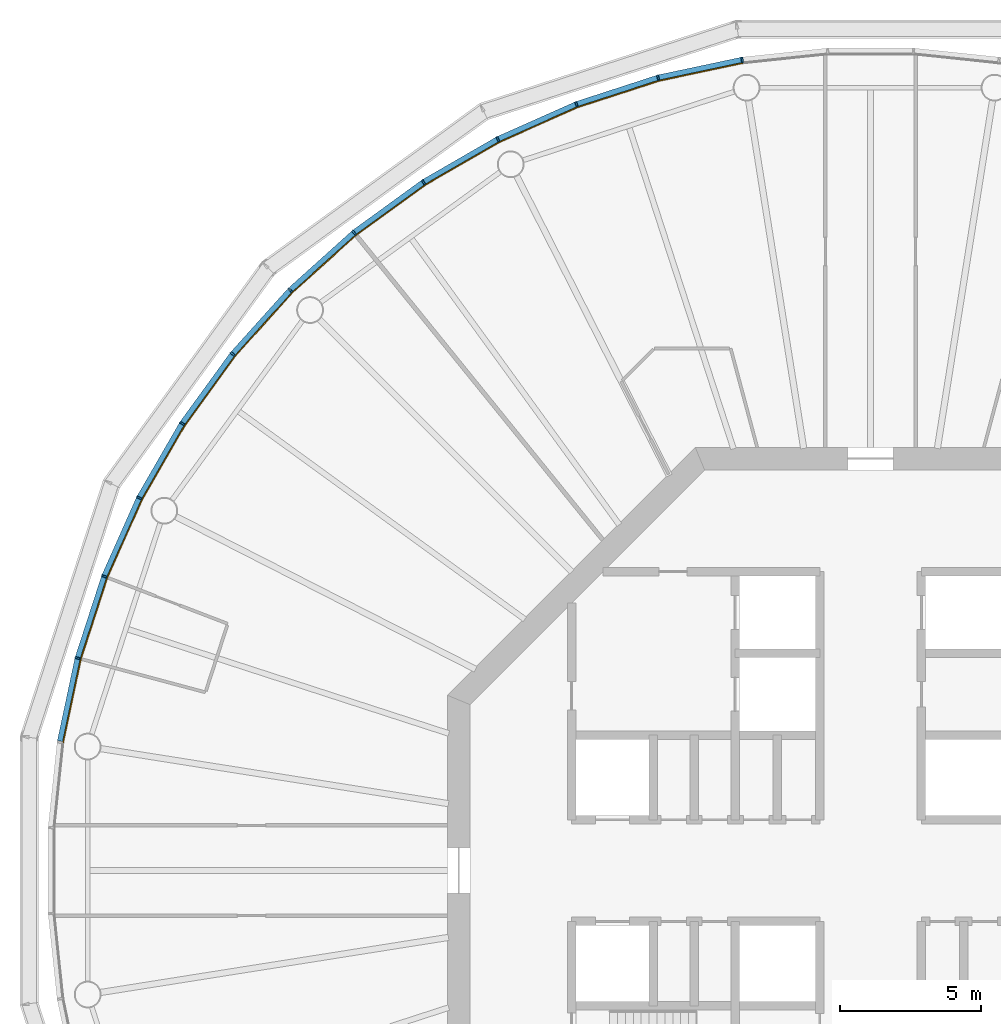
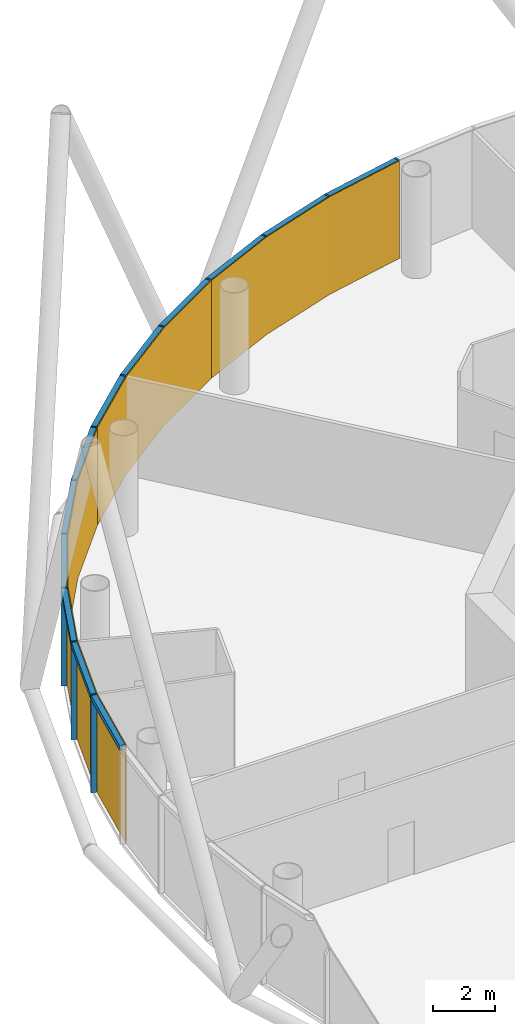
# One storey, part 10 of 13: 24 members, 4 curtain walls.
"""IFC4 building model written with IfcOpenShell, lengths in metres."""

from ifc_helpers import new_model, si_unit, direction, frame, origin, origin_2d, place, context, subcontext, project, spatial, polyline, rectangle, outline, extrude, material, layer, layer_set, material_profile, profile_set, type_object, element, aggregate, save


model = new_model("IFC4")

# Units and contexts
model_context = context("Model", 3, precision=1e-05, world=origin(), true_north=direction((0.0, 1.0)))
body_context = subcontext(model_context, "Body", "Model", "MODEL_VIEW")
ifc_project = project(units=[si_unit("LENGTHUNIT", "METRE"), si_unit("AREAUNIT", "SQUARE_METRE"), si_unit("VOLUMEUNIT", "CUBIC_METRE"), si_unit("PLANEANGLEUNIT", "RADIAN"), si_unit("MASSUNIT", "GRAM", prefix="KILO")], contexts=[model_context])

# Member
ifc_material_1 = material(Name="Anodised aluminium", Category="aluminium")
ifc_material_profile_1 = material_profile(ifc_material_1, rectangle(XDim=0.06494140625, YDim=0.195068359375, at=origin_2d()), Name="Mullion 65 x 195 mm anodised aluminium")
ifc_profile_set_1 = profile_set([ifc_material_profile_1], Name="Anodised aluminium")
member_type_1 = type_object("IfcMemberType", Name="Mullion 65 x 195 mm anodised aluminium", PredefinedType="MULLION", material=ifc_profile_set_1)
site_placement = place(None, origin())
building_placement = place(site_placement, origin())
storey_placement = place(building_placement, frame((0.0, 0.0, 294.0)))
member_1_placement = place(storey_placement, frame((85.4482421875, 108.7392578125, 0.0), z_axis=(0.0, 0.0, 1.0), x_axis=(-0.987688340595, -0.15643446504, 0.0)))
member_1 = element("IfcMember", 1, at=member_1_placement, type_object=member_type_1, Name="MULLION L67-15", PredefinedType="MULLION", context=body_context, shape_type="SweptSolid", body=[
    extrude(rectangle(XDim=0.06494140625, YDim=0.195068359375, at=origin_2d()), origin(), (0.0, 0.0, 1.0), 3.85009765625),
])

member_2_placement = place(storey_placement, frame((82.468994140625, 108.10595703125, 0.0), z_axis=(0.0, 0.0, 1.0), x_axis=(-0.965925826289, -0.258819045103, 0.0)))
member_2 = element("IfcMember", 2, at=member_2_placement, type_object=member_type_1, Name="MULLION L67-16", PredefinedType="MULLION", context=body_context, shape_type="SweptSolid", body=[
    extrude(rectangle(XDim=0.06494140625, YDim=0.195068359375, at=origin_2d()), origin(), (0.0, 0.0, 1.0), 3.85009765625),
])

member_3_placement = place(storey_placement, frame((79.572509765625, 107.164794921875, 0.0), z_axis=(0.0, 0.0, 1.0), x_axis=(-0.933580426497, -0.358367949545, 0.0)))
member_3 = element("IfcMember", 3, at=member_3_placement, type_object=member_type_1, Name="MULLION L67-17", PredefinedType="MULLION", context=body_context, shape_type="SweptSolid", body=[
    extrude(rectangle(XDim=0.06494140625, YDim=0.195068359375, at=origin_2d()), origin(), (0.0, 0.0, 1.0), 3.85009765625),
])

member_4_placement = place(storey_placement, frame((76.7900390625, 105.926025390625, 0.0), z_axis=(0.0, 0.0, 1.0), x_axis=(-0.891006524188, -0.45399049974, 0.0)))
member_4 = element("IfcMember", 4, at=member_4_placement, type_object=member_type_1, Name="MULLION L67-18", PredefinedType="MULLION", context=body_context, shape_type="SweptSolid", body=[
    extrude(rectangle(XDim=0.06494140625, YDim=0.195068359375, at=origin_2d()), origin(), (0.0, 0.0, 1.0), 3.85009765625),
])

member_5_placement = place(storey_placement, frame((74.15234375, 104.4033203125, 0.0), z_axis=(0.0, 0.0, 1.0), x_axis=(-0.838670567945, -0.544639035015, 0.0)))
member_5 = element("IfcMember", 5, at=member_5_placement, type_object=member_type_1, Name="MULLION L67-19", PredefinedType="MULLION", context=body_context, shape_type="SweptSolid", body=[
    extrude(rectangle(XDim=0.06494140625, YDim=0.195068359375, at=origin_2d()), origin(), (0.0, 0.0, 1.0), 3.85009765625),
])

member_6_placement = place(storey_placement, frame((71.688232421875, 102.613037109375, 0.0), z_axis=(0.0, 0.0, 1.0), x_axis=(-0.777145961457, -0.62932039105, 0.0)))
member_6 = element("IfcMember", 6, at=member_6_placement, type_object=member_type_1, Name="MULLION L67-20", PredefinedType="MULLION", context=body_context, shape_type="SweptSolid", body=[
    extrude(rectangle(XDim=0.06494140625, YDim=0.195068359375, at=origin_2d()), origin(), (0.0, 0.0, 1.0), 3.85009765625),
])

member_7_placement = place(storey_placement, frame((69.425048828125, 100.574951171875, 0.0), z_axis=(0.0, 0.0, 1.0), x_axis=(-0.707106781187, -0.707106781187, 0.0)))
member_7 = element("IfcMember", 7, at=member_7_placement, type_object=member_type_1, Name="MULLION L67-21", PredefinedType="MULLION", context=body_context, shape_type="SweptSolid", body=[
    extrude(rectangle(XDim=0.06494140625, YDim=0.195068359375, at=origin_2d()), origin(), (0.0, 0.0, 1.0), 3.85009765625),
])

member_8_placement = place(storey_placement, frame((67.386962890625, 98.311767578125, 0.0), z_axis=(0.0, 0.0, 1.0), x_axis=(-0.62932039105, -0.777145961457, 0.0)))
member_8 = element("IfcMember", 8, at=member_8_placement, type_object=member_type_1, Name="MULLION L67-22", PredefinedType="MULLION", context=body_context, shape_type="SweptSolid", body=[
    extrude(rectangle(XDim=0.06494140625, YDim=0.195068359375, at=origin_2d()), origin(), (0.0, 0.0, 1.0), 3.85009765625),
])

member_9_placement = place(storey_placement, frame((65.5966796875, 95.84765625, 0.0), z_axis=(0.0, 0.0, 1.0), x_axis=(-0.544639035015, -0.838670567945, 0.0)))
member_9 = element("IfcMember", 9, at=member_9_placement, type_object=member_type_1, Name="MULLION L67-23", PredefinedType="MULLION", context=body_context, shape_type="SweptSolid", body=[
    extrude(rectangle(XDim=0.06494140625, YDim=0.195068359375, at=origin_2d()), origin(), (0.0, 0.0, 1.0), 3.85009765625),
])

member_10_placement = place(storey_placement, frame((64.073974609375, 93.2099609375, 0.0), z_axis=(0.0, 0.0, 1.0), x_axis=(-0.45399049974, -0.891006524188, 0.0)))
member_10 = element("IfcMember", 10, at=member_10_placement, type_object=member_type_1, Name="MULLION L67-24", PredefinedType="MULLION", context=body_context, shape_type="SweptSolid", body=[
    extrude(rectangle(XDim=0.06494140625, YDim=0.195068359375, at=origin_2d()), origin(), (0.0, 0.0, 1.0), 3.85009765625),
])

member_11_placement = place(storey_placement, frame((62.835205078125, 90.427490234375, 0.0), z_axis=(0.0, 0.0, 1.0), x_axis=(-0.358367949545, -0.933580426497, 0.0)))
member_11 = element("IfcMember", 11, at=member_11_placement, type_object=member_type_1, Name="MULLION L67-25", PredefinedType="MULLION", context=body_context, shape_type="SweptSolid", body=[
    extrude(rectangle(XDim=0.06494140625, YDim=0.195068359375, at=origin_2d()), origin(), (0.0, 0.0, 1.0), 3.85009765625),
])

member_12_placement = place(storey_placement, frame((61.89404296875, 87.531005859375, 0.0), z_axis=(0.0, 0.0, 1.0), x_axis=(-0.258819045103, -0.965925826289, 0.0)))
member_12 = element("IfcMember", 12, at=member_12_placement, type_object=member_type_1, Name="MULLION L67-26", PredefinedType="MULLION", context=body_context, shape_type="SweptSolid", body=[
    extrude(rectangle(XDim=0.06494140625, YDim=0.195068359375, at=origin_2d()), origin(), (0.0, 0.0, 1.0), 3.85009765625),
])

ifc_material_2 = material(Name="Anodised aluminium", Category="aluminium")
ifc_material_profile_2 = material_profile(ifc_material_2, rectangle(XDim=0.195068359375, YDim=0.179931640625, at=origin_2d()), Name="Transom 180 x 195 mm anodised aluminium")
ifc_profile_set_2 = profile_set([ifc_material_profile_2], Name="Anodised aluminium")
member_type_2 = type_object("IfcMemberType", Name="Transom 180 x 195 mm anodised aluminium", PredefinedType="USERDEFINED", material=ifc_profile_set_2)
member_13_placement = place(storey_placement, frame((85.411376953125, 108.731689453125, 3.760009765625), z_axis=(-0.978141510112, -0.207940342877, 0.0), x_axis=(0.207940342877, -0.978141510112, 0.0)))
member_13 = element("IfcMember", 13, at=member_13_placement, type_object=member_type_2, Name="TRANSOM L67-15", ObjectType="TRANSOM", PredefinedType="USERDEFINED", context=body_context, shape_type="SweptSolid", body=[
    extrude(rectangle(XDim=0.195068359375, YDim=0.179931640625, at=origin_2d()), origin(), (0.0, 0.0, 1.0), 2.970458984375),
])

member_14_placement = place(storey_placement, frame((82.43310546875, 108.094482421875, 3.760009765625), z_axis=(-0.951047960094, -0.309043326415, 0.0), x_axis=(0.309043326415, -0.951047960094, 0.0)))
member_14 = element("IfcMember", 14, at=member_14_placement, type_object=member_type_2, Name="TRANSOM L67-16", ObjectType="TRANSOM", PredefinedType="USERDEFINED", context=body_context, shape_type="SweptSolid", body=[
    extrude(rectangle(XDim=0.195068359375, YDim=0.179931640625, at=origin_2d()), origin(), (0.0, 0.0, 1.0), 2.970458984375),
])

member_15_placement = place(storey_placement, frame((79.5380859375, 107.149658203125, 3.760009765625), z_axis=(-0.913550406593, -0.406725527369, 0.0), x_axis=(0.406725527369, -0.913550406593, 0.0)))
member_15 = element("IfcMember", 15, at=member_15_placement, type_object=member_type_2, Name="TRANSOM L67-17", ObjectType="TRANSOM", PredefinedType="USERDEFINED", context=body_context, shape_type="SweptSolid", body=[
    extrude(rectangle(XDim=0.195068359375, YDim=0.179931640625, at=origin_2d()), origin(), (0.0, 0.0, 1.0), 2.970703125),
])

member_16_placement = place(storey_placement, frame((76.75732421875, 105.907470703125, 3.760009765625), z_axis=(-0.866009025146, -0.500028367561, 0.0), x_axis=(0.500028367561, -0.866009025146, 0.0)))
member_16 = element("IfcMember", 16, at=member_16_placement, type_object=member_type_2, Name="TRANSOM L67-18", ObjectType="TRANSOM", PredefinedType="USERDEFINED", context=body_context, shape_type="SweptSolid", body=[
    extrude(rectangle(XDim=0.195068359375, YDim=0.179931640625, at=origin_2d()), origin(), (0.0, 0.0, 1.0), 2.970458984375),
])

member_17_placement = place(storey_placement, frame((74.121826171875, 104.381103515625, 3.760009765625), z_axis=(-0.809030990733, -0.587765987476, 0.0), x_axis=(0.587765987476, -0.809030990733, 0.0)))
member_17 = element("IfcMember", 17, at=member_17_placement, type_object=member_type_2, Name="TRANSOM L67-19", ObjectType="TRANSOM", PredefinedType="USERDEFINED", context=body_context, shape_type="SweptSolid", body=[
    extrude(rectangle(XDim=0.195068359375, YDim=0.179931640625, at=origin_2d()), origin(), (0.0, 0.0, 1.0), 2.97021484375),
])

member_18_placement = place(storey_placement, frame((71.660400390625, 102.587890625, 3.760009765625), z_axis=(-0.743163354343, -0.669110027395, 0.0), x_axis=(0.669110027395, -0.743163354343, 0.0)))
member_18 = element("IfcMember", 18, at=member_18_placement, type_object=member_type_2, Name="TRANSOM L67-20", ObjectType="TRANSOM", PredefinedType="USERDEFINED", context=body_context, shape_type="SweptSolid", body=[
    extrude(rectangle(XDim=0.195068359375, YDim=0.179931640625, at=origin_2d()), origin(), (0.0, 0.0, 1.0), 2.970458984375),
])

member_19_placement = place(storey_placement, frame((69.399658203125, 100.547119140625, 3.760009765625), z_axis=(-0.669110027395, -0.743163354343, 0.0), x_axis=(0.743163354343, -0.669110027395, 0.0)))
member_19 = element("IfcMember", 19, at=member_19_placement, type_object=member_type_2, Name="TRANSOM L67-21", ObjectType="TRANSOM", PredefinedType="USERDEFINED", context=body_context, shape_type="SweptSolid", body=[
    extrude(rectangle(XDim=0.195068359375, YDim=0.179931640625, at=origin_2d()), origin(), (0.0, 0.0, 1.0), 2.970458984375),
])

member_20_placement = place(storey_placement, frame((67.36474609375, 98.28125, 3.760009765625), z_axis=(-0.587765987476, -0.809030990733, 0.0), x_axis=(0.809030990733, -0.587765987476, 0.0)))
member_20 = element("IfcMember", 20, at=member_20_placement, type_object=member_type_2, Name="TRANSOM L67-22", ObjectType="TRANSOM", PredefinedType="USERDEFINED", context=body_context, shape_type="SweptSolid", body=[
    extrude(rectangle(XDim=0.195068359375, YDim=0.179931640625, at=origin_2d()), origin(), (0.0, 0.0, 1.0), 2.97021484375),
])

member_21_placement = place(storey_placement, frame((65.577880859375, 95.815185546875, 3.760009765625), z_axis=(-0.500028367561, -0.866009025146, 0.0), x_axis=(0.866009025146, -0.500028367561, 0.0)))
member_21 = element("IfcMember", 21, at=member_21_placement, type_object=member_type_2, Name="TRANSOM L67-23", ObjectType="TRANSOM", PredefinedType="USERDEFINED", context=body_context, shape_type="SweptSolid", body=[
    extrude(rectangle(XDim=0.195068359375, YDim=0.179931640625, at=origin_2d()), origin(), (0.0, 0.0, 1.0), 2.970458984375),
])

member_22_placement = place(storey_placement, frame((64.05859375, 93.17578125, 3.760009765625), z_axis=(-0.406725527369, -0.913550406593, 0.0), x_axis=(0.913550406593, -0.406725527369, 0.0)))
member_22 = element("IfcMember", 22, at=member_22_placement, type_object=member_type_2, Name="TRANSOM L67-24", ObjectType="TRANSOM", PredefinedType="USERDEFINED", context=body_context, shape_type="SweptSolid", body=[
    extrude(rectangle(XDim=0.195068359375, YDim=0.179931640625, at=origin_2d()), origin(), (0.0, 0.0, 1.0), 2.970703125),
])

member_23_placement = place(storey_placement, frame((62.823486328125, 90.391845703125, 3.760009765625), z_axis=(-0.309043326415, -0.951047960094, 0.0), x_axis=(0.951047960094, -0.309043326415, 0.0)))
member_23 = element("IfcMember", 23, at=member_23_placement, type_object=member_type_2, Name="TRANSOM L67-25", ObjectType="TRANSOM", PredefinedType="USERDEFINED", context=body_context, shape_type="SweptSolid", body=[
    extrude(rectangle(XDim=0.195068359375, YDim=0.179931640625, at=origin_2d()), origin(), (0.0, 0.0, 1.0), 2.970458984375),
])

member_24_placement = place(storey_placement, frame((61.885986328125, 87.494140625, 3.760009765625), z_axis=(-0.207940342877, -0.978141510112, 0.0), x_axis=(0.978141510112, -0.207940342877, 0.0)))
member_24 = element("IfcMember", 24, at=member_24_placement, type_object=member_type_2, Name="TRANSOM L67-26", ObjectType="TRANSOM", PredefinedType="USERDEFINED", context=body_context, shape_type="SweptSolid", body=[
    extrude(rectangle(XDim=0.195068359375, YDim=0.179931640625, at=origin_2d()), origin(), (0.0, 0.0, 1.0), 2.970458984375),
])

# Site, building, storey
site = spatial("IfcSite", under=ifc_project, at=site_placement, CompositionType="ELEMENT")
building = spatial("IfcBuilding", under=site, at=building_placement, Name="Entoto Ring Tower", CompositionType="ELEMENT")
storey = spatial("IfcBuildingStorey", under=building, at=storey_placement, Name="L67", CompositionType="ELEMENT", Elevation=294.0)

# Curtain wall
ifc_material_3 = material(Name="Clear low-iron glass", Category="glass")
ifc_layer = layer(ifc_material_3, 0.033935546875)
ifc_layer_set = layer_set([ifc_layer], Name="Clear low-iron glass")
curtain_wall_type = type_object("IfcCurtainWallType", Name="Curtain wall system CW5 glazing 34 mm", PredefinedType="NOTDEFINED", material=ifc_layer_set)
curtain_wall_1_placement = place(storey_placement, origin())
curtain_wall_1 = element("IfcCurtainWall", 25, at=curtain_wall_1_placement, inside=storey, type_object=curtain_wall_type, Name="CW5 L67-06", PredefinedType="NOTDEFINED", context=body_context, shape_type="SweptSolid", body=[
    extrude(outline(polyline([(85.46337890625, 108.64306640625), (82.494140625, 108.011962890625), (79.607421875, 107.07373046875), (76.834228515625, 105.839111328125), (76.849853515625, 105.808837890625), (79.61962890625, 107.0419921875), (82.503173828125, 107.97900390625), (85.46875, 108.609375), (85.46337890625, 108.64306640625)])), origin(), (0.0, 0.0, 1.0), 3.85009765625),
])

aggregate(curtain_wall_1, [member_1, member_2, member_3, member_13, member_14, member_15])

curtain_wall_2_placement = place(storey_placement, origin())
curtain_wall_2 = element("IfcCurtainWall", 26, at=curtain_wall_2_placement, inside=storey, type_object=curtain_wall_type, Name="CW5 L67-07", PredefinedType="NOTDEFINED", context=body_context, shape_type="SweptSolid", body=[
    extrude(outline(polyline([(76.834228515625, 105.839111328125), (74.20556640625, 104.321533203125), (71.749755859375, 102.537353515625), (69.493896484375, 100.506103515625), (69.51806640625, 100.48193359375), (71.771240234375, 102.5107421875), (74.22412109375, 104.29296875), (76.849853515625, 105.808837890625), (76.834228515625, 105.839111328125)])), origin(), (0.0, 0.0, 1.0), 3.85009765625),
])

aggregate(curtain_wall_2, [member_4, member_5, member_6, member_16, member_17, member_18])

curtain_wall_3_placement = place(storey_placement, origin())
curtain_wall_3 = element("IfcCurtainWall", 27, at=curtain_wall_3_placement, inside=storey, type_object=curtain_wall_type, Name="CW5 L67-08", PredefinedType="NOTDEFINED", context=body_context, shape_type="SweptSolid", body=[
    extrude(outline(polyline([(69.493896484375, 100.506103515625), (67.462646484375, 98.250244140625), (65.678466796875, 95.79443359375), (64.160888671875, 93.165771484375), (64.191162109375, 93.150146484375), (65.70703125, 95.77587890625), (67.4892578125, 98.228759765625), (69.51806640625, 100.48193359375), (69.493896484375, 100.506103515625)])), origin(), (0.0, 0.0, 1.0), 3.85009765625),
])

aggregate(curtain_wall_3, [member_7, member_8, member_9, member_19, member_20, member_21])

curtain_wall_4_placement = place(storey_placement, origin())
curtain_wall_4 = element("IfcCurtainWall", 28, at=curtain_wall_4_placement, inside=storey, type_object=curtain_wall_type, Name="CW5 L67-09", PredefinedType="NOTDEFINED", context=body_context, shape_type="SweptSolid", body=[
    extrude(outline(polyline([(64.160888671875, 93.165771484375), (62.92626953125, 90.392578125), (61.988037109375, 87.505859375), (61.35693359375, 84.53662109375), (61.390625, 84.53125), (62.02099609375, 87.496826171875), (62.9580078125, 90.38037109375), (64.191162109375, 93.150146484375), (64.160888671875, 93.165771484375)])), origin(), (0.0, 0.0, 1.0), 3.85009765625),
])

aggregate(curtain_wall_4, [member_10, member_11, member_12, member_22, member_23, member_24])

save(model, "model.ifc")
